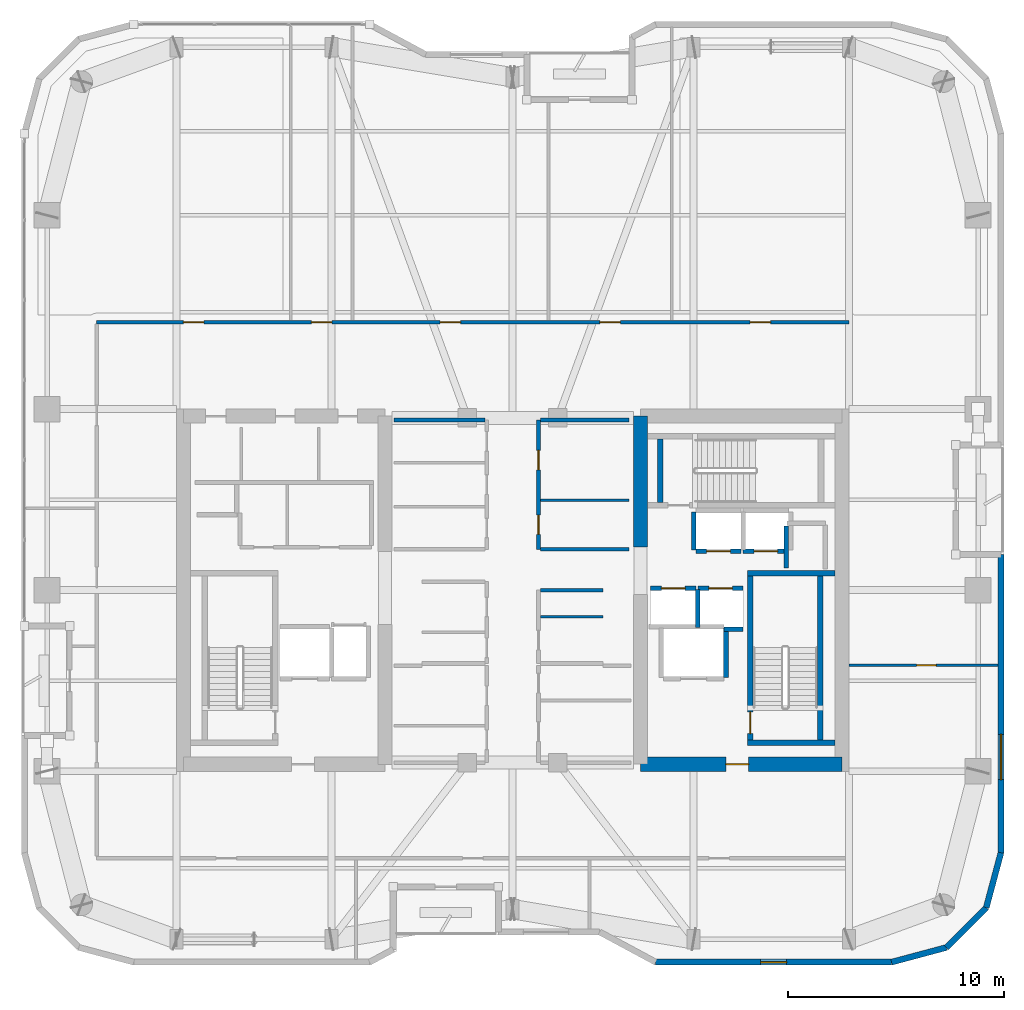
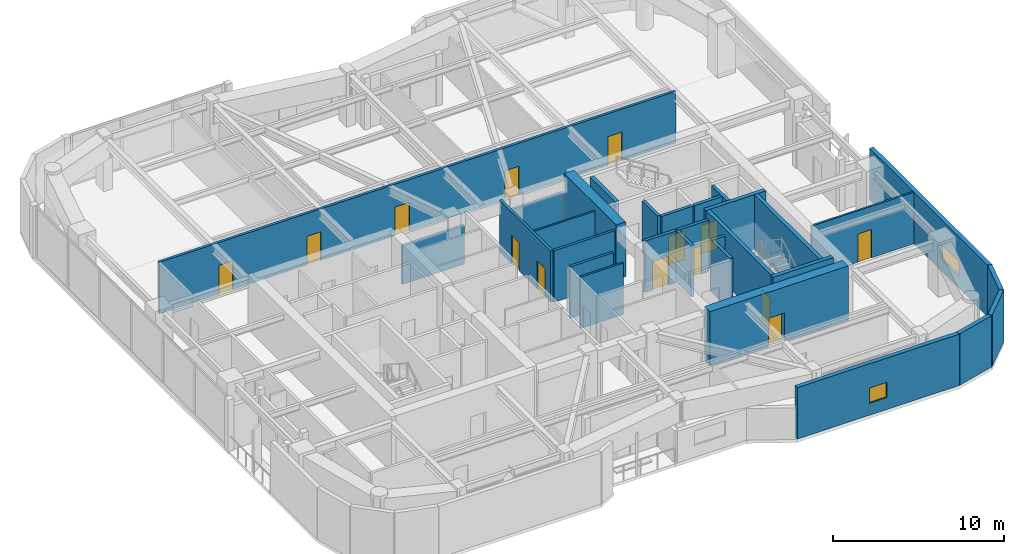
# One storey, part 17 of 21: 30 walls, 14 doors, 2 windows, 16 openings.
"""IFC4 building model written with IfcOpenShell, lengths in metres."""

from ifc_helpers import new_model, si_unit, direction, frame, frame_2d, origin, place, context, subcontext, project, spatial, rectangle, extrude, material, layer, layer_set, type_object, element, fill, save


model = new_model("IFC4")

# Units and contexts
model_context = context("Model", 3, precision=1e-05, world=origin(), true_north=direction((0.0, 1.0)))
body_context = subcontext(model_context, "Body", "Model", "MODEL_VIEW")
ifc_project = project(units=[si_unit("LENGTHUNIT", "METRE"), si_unit("AREAUNIT", "SQUARE_METRE"), si_unit("VOLUMEUNIT", "CUBIC_METRE"), si_unit("PLANEANGLEUNIT", "RADIAN"), si_unit("MASSUNIT", "GRAM", prefix="KILO")], contexts=[model_context])

# Site, building, storey
site_placement = place(None, origin())
site = spatial("IfcSite", under=ifc_project, at=site_placement, CompositionType="ELEMENT")
building_placement = place(site_placement, origin())
building = spatial("IfcBuilding", under=site, at=building_placement, Name="Kiyonajd Concourse Tower", CompositionType="ELEMENT")
storey_placement = place(building_placement, frame((0.0, 0.0, 227.10009765625)))
storey = spatial("IfcBuildingStorey", under=building, at=storey_placement, Name="L57", CompositionType="ELEMENT", Elevation=227.10009765625)

# Wall
ifc_material_1 = material(Name="Concrete C60/75", Category="concrete")
ifc_layer_1 = layer(ifc_material_1, 0.64990234375)
ifc_layer_set_1 = layer_set([ifc_layer_1], Name="Concrete C60/75")
wall_type_1 = type_object("IfcWallType", Name="WL-CORE-650", PredefinedType="SHEAR", material=ifc_layer_set_1)
wall_1_placement = place(storey_placement, frame((53.925048828125, 38.0, 0.0), z_axis=(0.0, 0.0, 1.0), x_axis=(0.0, 1.0, 0.0)))
element("IfcWall", 1, at=wall_1_placement, inside=storey, type_object=wall_type_1, Name="L57 East Core Inner North Shear Wall", PredefinedType="SHEAR", context=body_context, shape_type="SweptSolid", body=[
    extrude(rectangle(XDim=6.074951171875, YDim=0.64990234375, at=frame_2d((3.03759765625, 0.0))), origin(), (0.0, 0.0, 1.0), 3.89990234375),
])

# Wall, opening, door
wall_2_placement = place(storey_placement, frame((53.925048828125, 27.925048828125, 0.0), z_axis=(0.0, 0.0, 1.0), x_axis=(1.0, 0.0, 0.0)))
wall_2 = element("IfcWall", 2, at=wall_2_placement, inside=storey, type_object=wall_type_1, Name="L57 East Core South Shear Wall", PredefinedType="SHEAR", context=body_context, shape_type="SweptSolid", body=[
    extrude(rectangle(XDim=9.349853515625, YDim=0.64990234375, at=frame_2d((4.6748046875, 0.0))), origin(), (0.0, 0.0, 1.0), 3.89990234375),
])
opening_1_placement = place(wall_2_placement, frame((3.97509765625, 0.0, 0.0)))
opening_1 = element("IfcOpeningElement", 3, at=opening_1_placement, cuts=wall_2, Name="Opening DF5", PredefinedType="OPENING", context=body_context, shape_type="SweptSolid", body=[
    extrude(rectangle(XDim=1.050048828125, YDim=2.0400390625, at=frame_2d((0.52490234375, 1.02001953125))), frame((0.0, 0.3349609375, 0.0), z_axis=(0.0, -1.0, 0.0), x_axis=(1.0, 0.0, 0.0)), (0.0, 0.0, 1.0), 0.669921875),
])
ifc_material_2 = material(Name="Brushed Stainless Steel Cab Assembly", Category="steel")
door_type_1 = type_object("IfcDoorType", Name="DR-FD45-1050", OperationType="NOTDEFINED", PredefinedType="DOOR", material=ifc_material_2)
door_1_placement = place(opening_1_placement, origin())
door_1 = element("IfcDoor", 4, at=door_1_placement, inside=storey, type_object=door_type_1, Name="L57 Firefighting Lift Lobby E Smoke Door", OperationType="SINGLE_SWING_RIGHT", OverallHeight=2.0400390625, OverallWidth=1.050048828125, PredefinedType="DOOR", context=body_context, shape_type="SweptSolid", body=[
    extrude(rectangle(XDim=1.050048828125, YDim=2.0400390625, at=frame_2d((0.52490234375, 1.02001953125))), frame((0.0, 0.02490234375, 0.0), z_axis=(0.0, -1.0, 0.0), x_axis=(1.0, 0.0, 0.0)), (0.0, 0.0, 1.0), 0.050048828125),
])
fill(opening_1, door_1)

# Wall, opening, window
ifc_material_3 = material(Name="Precast concrete C50/60", Category="concrete")
ifc_layer_2 = layer(ifc_material_3, 0.280029296875)
ifc_layer_set_2 = layer_set([ifc_layer_2], Name="Precast concrete C50/60")
wall_type_2 = type_object("IfcWallType", Name="WL-EXT-280", PredefinedType="SOLIDWALL", material=ifc_layer_set_2)
wall_3_placement = place(storey_placement, frame((70.659912109375, 37.659912109375, 0.0), z_axis=(0.0, 0.0, 1.0), x_axis=(0.0, -1.0, 0.0)))
wall_3 = element("IfcWall", 5, at=wall_3_placement, inside=storey, type_object=wall_type_2, Name="L57 Exterior Concrete Frame Wall 24", PredefinedType="SOLIDWALL", context=body_context, shape_type="SweptSolid", body=[
    extrude(rectangle(XDim=13.841552734375, YDim=0.280029296875, at=frame_2d((6.9208984375, 0.0))), origin(), (0.0, 0.0, 1.0), 3.679931640625),
])
opening_2_placement = place(wall_3_placement, frame((8.345947265625, 0.0, 0.85009765625)))
opening_2 = element("IfcOpeningElement", 6, at=opening_2_placement, cuts=wall_3, Name="Opening WN5", PredefinedType="OPENING", context=body_context, shape_type="SweptSolid", body=[
    extrude(rectangle(XDim=2.10009765625, YDim=1.050048828125, at=frame_2d((1.050048828125, 0.52490234375))), frame((0.0, 0.14990234375, 0.0), z_axis=(0.0, -1.0, 0.0), x_axis=(1.0, 0.0, 0.0)), (0.0, 0.0, 1.0), 0.300048828125),
])
ifc_material_4 = material(Name="Double Low-E Insulated Glass", Category="glass")
window_type_1 = type_object("IfcWindowType", Name="WN-VIS-2100x1050", PartitioningType="SINGLE_PANEL", PredefinedType="WINDOW", material=ifc_material_4)
window_1_placement = place(opening_2_placement, origin())
window_1 = element("IfcWindow", 7, at=window_1_placement, inside=storey, type_object=window_type_1, Name="L57 Modular Facade Vision Window 24", OverallHeight=1.050048828125, OverallWidth=2.10009765625, PartitioningType="SINGLE_PANEL", PredefinedType="WINDOW", context=body_context, shape_type="SweptSolid", body=[
    extrude(rectangle(XDim=2.10009765625, YDim=1.050048828125, at=frame_2d((1.050048828125, 0.52490234375))), frame((0.0, 0.030029296875, 0.0), z_axis=(0.0, -1.0, 0.0), x_axis=(1.0, 0.0, 0.0)), (0.0, 0.0, 1.0), 0.06005859375),
])
fill(opening_2, window_1)

# Walls
wall_4_placement = place(storey_placement, frame((70.659912109375, 23.818359375, 0.0), z_axis=(0.0, 0.0, 1.0), x_axis=(-0.2588904131, -0.965906700466, 0.0)))
element("IfcWall", 8, at=wall_4_placement, inside=storey, type_object=wall_type_2, Name="L57 Exterior Concrete Frame Wall 25", PredefinedType="SOLIDWALL", context=body_context, shape_type="SweptSolid", body=[
    extrude(rectangle(XDim=2.6357421875, YDim=0.280029296875, at=frame_2d((1.31787109375, 0.0))), origin(), (0.0, 0.0, 1.0), 3.679931640625),
])
wall_5_placement = place(storey_placement, frame((69.9775390625, 21.2724609375, 0.0), z_axis=(0.0, 0.0, 1.0), x_axis=(-0.707153437963, -0.707060121331, 0.0)))
element("IfcWall", 9, at=wall_5_placement, inside=storey, type_object=wall_type_2, Name="L57 Exterior Concrete Frame Wall 26", PredefinedType="SOLIDWALL", context=body_context, shape_type="SweptSolid", body=[
    extrude(rectangle(XDim=2.6162109375, YDim=0.280029296875, at=frame_2d((1.30810546875, 0.0))), origin(), (0.0, 0.0, 1.0), 3.679931640625),
])
wall_6_placement = place(storey_placement, frame((68.12744140625, 19.422607421875, 0.0), z_axis=(0.0, 0.0, 1.0), x_axis=(-0.965883534663, -0.258976828051, 0.0)))
element("IfcWall", 10, at=wall_6_placement, inside=storey, type_object=wall_type_2, Name="L57 Exterior Concrete Frame Wall 27", PredefinedType="SOLIDWALL", context=body_context, shape_type="SweptSolid", body=[
    extrude(rectangle(XDim=2.6357421875, YDim=0.280029296875, at=frame_2d((1.31787109375, 0.0))), origin(), (0.0, 0.0, 1.0), 3.679931640625),
])

# Wall, opening, window
wall_7_placement = place(storey_placement, frame((65.58154296875, 18.739990234375, 0.0), z_axis=(0.0, 0.0, 1.0), x_axis=(-1.0, 0.0, 0.0)))
wall_7 = element("IfcWall", 11, at=wall_7_placement, inside=storey, type_object=wall_type_2, Name="L57 Exterior Concrete Frame Wall 28", PredefinedType="SOLIDWALL", context=body_context, shape_type="SweptSolid", body=[
    extrude(rectangle(XDim=10.9462890625, YDim=0.280029296875, at=frame_2d((5.47314453125, 0.0))), origin(), (0.0, 0.0, 1.0), 3.679931640625),
])
opening_3_placement = place(wall_7_placement, frame((4.873046875, 0.0, 0.85009765625)))
opening_3 = element("IfcOpeningElement", 12, at=opening_3_placement, cuts=wall_7, Name="Opening WN3", PredefinedType="OPENING", context=body_context, shape_type="SweptSolid", body=[
    extrude(rectangle(XDim=1.199951171875, YDim=1.10009765625, at=frame_2d((0.60009765625, 0.550048828125))), frame((0.0, 0.14990234375, 0.0), z_axis=(0.0, -1.0, 0.0), x_axis=(1.0, 0.0, 0.0)), (0.0, 0.0, 1.0), 0.300048828125),
])
window_type_2 = type_object("IfcWindowType", Name="WN-VIS-1200x1100", PartitioningType="SINGLE_PANEL", PredefinedType="WINDOW", material=ifc_material_4)
window_2_placement = place(opening_3_placement, origin())
window_2 = element("IfcWindow", 13, at=window_2_placement, inside=storey, type_object=window_type_2, Name="L57 Modular Facade Vision Window 28", OverallHeight=1.10009765625, OverallWidth=1.199951171875, PartitioningType="SINGLE_PANEL", PredefinedType="WINDOW", context=body_context, shape_type="SweptSolid", body=[
    extrude(rectangle(XDim=1.199951171875, YDim=1.10009765625, at=frame_2d((0.60009765625, 0.550048828125))), frame((0.0, 0.030029296875, 0.0), z_axis=(0.0, -1.0, 0.0), x_axis=(1.0, 0.0, 0.0)), (0.0, 0.0, 1.0), 0.06005859375),
])
fill(opening_3, window_2)

# Walls
ifc_material_5 = material(Name="Gypsum Board on Cold-Formed Steel Stud", Category="steel")
ifc_layer_3 = layer(ifc_material_5, 0.125)
ifc_layer_set_3 = layer_set([ifc_layer_3], Name="Gypsum Board on Cold-Formed Steel Stud")
wall_type_3 = type_object("IfcWallType", Name="WL-PART-125", PredefinedType="PARTITIONING", material=ifc_layer_set_3)
wall_8_placement = place(storey_placement, frame((49.287109375, 34.77587890625, 0.0), z_axis=(0.0, 0.0, 1.0), x_axis=(1.0, 0.0, 0.0)))
element("IfcWall", 14, at=wall_8_placement, inside=storey, type_object=wall_type_3, Name="L57 Interior Partition Wall", PredefinedType="PARTITIONING", context=body_context, shape_type="SweptSolid", body=[
    extrude(rectangle(XDim=2.912841796875, YDim=0.125, at=frame_2d((1.45654296875, 0.0))), origin(), (0.0, 0.0, 1.0), 3.679931640625),
])
wall_9_placement = place(storey_placement, frame((49.287109375, 40.179931640625, 0.0), z_axis=(0.0, 0.0, 1.0), x_axis=(1.0, 0.0, 0.0)))
element("IfcWall", 15, at=wall_9_placement, inside=storey, type_object=wall_type_3, Name="L57 Interior Partition Wall", PredefinedType="PARTITIONING", context=body_context, shape_type="SweptSolid", body=[
    extrude(rectangle(XDim=4.11279296875, YDim=0.125, at=frame_2d((2.056396484375, 0.0))), origin(), (0.0, 0.0, 1.0), 3.679931640625),
])

# Wall, opening, door
wall_10_placement = place(storey_placement, frame((63.60009765625, 32.52001953125, 0.0), z_axis=(0.0, 0.0, 1.0), x_axis=(1.0, 0.0, 0.0)))
wall_10 = element("IfcWall", 16, at=wall_10_placement, inside=storey, type_object=wall_type_3, Name="L57 Interior Partition Wall", PredefinedType="PARTITIONING", context=body_context, shape_type="SweptSolid", body=[
    extrude(rectangle(XDim=6.9248046875, YDim=0.125, at=frame_2d((3.46240234375, 0.0))), origin(), (0.0, 0.0, 1.0), 3.679931640625),
])
opening_4_placement = place(wall_10_placement, frame((3.14990234375, 0.0, 0.0)))
opening_4 = element("IfcOpeningElement", 17, at=opening_4_placement, cuts=wall_10, Name="Opening DI2", PredefinedType="OPENING", context=body_context, shape_type="SweptSolid", body=[
    extrude(rectangle(XDim=0.89990234375, YDim=2.02001953125, at=frame_2d((0.449951171875, 1.010009765625))), frame((0.0, 0.072509765625, 0.0), z_axis=(0.0, -1.0, 0.0), x_axis=(1.0, 0.0, 0.0)), (0.0, 0.0, 1.0), 0.14501953125),
])
ifc_material_6 = material(Name="Natural Oak Acoustic Timber Veneer", Category="wood")
door_type_2 = type_object("IfcDoorType", Name="DR-INT-900", OperationType="NOTDEFINED", PredefinedType="DOOR", material=ifc_material_6)
door_2_placement = place(opening_4_placement, origin())
door_2 = element("IfcDoor", 18, at=door_2_placement, inside=storey, type_object=door_type_2, Name="L57 Interior Door", OperationType="SINGLE_SWING_LEFT", OverallHeight=2.02001953125, OverallWidth=0.89990234375, PredefinedType="DOOR", context=body_context, shape_type="SweptSolid", body=[
    extrude(rectangle(XDim=0.89990234375, YDim=2.02001953125, at=frame_2d((0.449951171875, 1.010009765625))), frame((0.0, 0.02490234375, 0.0), z_axis=(0.0, -1.0, 0.0), x_axis=(1.0, 0.0, 0.0)), (0.0, 0.0, 1.0), 0.050048828125),
])
fill(opening_4, door_2)

# Walls
ifc_layer_4 = layer(ifc_material_5, 0.2099609375)
ifc_layer_set_4 = layer_set([ifc_layer_4], Name="Gypsum Board on Cold-Formed Steel Stud")
wall_type_4 = type_object("IfcWallType", Name="WL-SHAFT-210", PredefinedType="PARTITIONING", material=ifc_layer_set_4)
wall_11_placement = place(storey_placement, frame((60.699951171875, 37.02001953125, 0.0), z_axis=(0.0, 0.0, 1.0), x_axis=(0.0, 1.0, 0.0)))
element("IfcWall", 19, at=wall_11_placement, inside=storey, type_object=wall_type_4, Name="L57 Shaft Enclosure Wall", PredefinedType="PARTITIONING", context=body_context, shape_type="SweptSolid", body=[
    extrude(rectangle(XDim=1.9599609375, YDim=0.2099609375, at=frame_2d((0.97998046875, 0.0))), origin(), (0.0, 0.0, 1.0), 3.679931640625),
])
wall_12_placement = place(storey_placement, frame((57.89990234375, 31.9599609375, 0.0), z_axis=(0.0, 0.0, 1.0), x_axis=(0.0, 1.0, 0.0)))
element("IfcWall", 20, at=wall_12_placement, inside=storey, type_object=wall_type_4, Name="L57 Shaft Enclosure Wall", PredefinedType="PARTITIONING", context=body_context, shape_type="SweptSolid", body=[
    extrude(rectangle(XDim=2.280029296875, YDim=0.2099609375, at=frame_2d((1.14013671875, 0.0))), origin(), (0.0, 0.0, 1.0), 3.679931640625),
])

# Wall, opening, door
wall_13_placement = place(storey_placement, frame((54.39990234375, 36.10009765625, 0.0), z_axis=(0.0, 0.0, 1.0), x_axis=(1.0, 0.0, 0.0)))
wall_13 = element("IfcWall", 21, at=wall_13_placement, inside=storey, type_object=wall_type_4, Name="L57 Shaft Enclosure Wall", PredefinedType="PARTITIONING", context=body_context, shape_type="SweptSolid", body=[
    extrude(rectangle(XDim=2.10009765625, YDim=0.2099609375, at=frame_2d((1.050048828125, 0.0))), origin(), (0.0, 0.0, 1.0), 3.679931640625),
])
opening_5_placement = place(wall_13_placement, frame((0.5, 0.0, 0.0)))
opening_5 = element("IfcOpeningElement", 22, at=opening_5_placement, cuts=wall_13, Name="Opening LD1", PredefinedType="OPENING", context=body_context, shape_type="SweptSolid", body=[
    extrude(rectangle(XDim=1.10009765625, YDim=2.0400390625, at=frame_2d((0.550048828125, 1.02001953125))), frame((0.0, 0.114990234375, 0.0), z_axis=(0.0, -1.0, 0.0), x_axis=(1.0, 0.0, 0.0)), (0.0, 0.0, 1.0), 0.22998046875),
])
door_type_3 = type_object("IfcDoorType", Name="DR-LD-1100", OperationType="DOUBLE_DOOR_SLIDING", PredefinedType="DOOR", material=ifc_material_2)
door_3_placement = place(opening_5_placement, origin())
door_3 = element("IfcDoor", 23, at=door_3_placement, inside=storey, type_object=door_type_3, Name="L57 Lift PL-H1 Sliding Landing Door", OperationType="DOUBLE_DOOR_SLIDING", OverallHeight=2.0400390625, OverallWidth=1.10009765625, PredefinedType="DOOR", context=body_context, shape_type="SweptSolid", body=[
    extrude(rectangle(XDim=1.10009765625, YDim=2.0400390625, at=frame_2d((0.550048828125, 1.02001953125))), frame((0.0, 0.02490234375, 0.0), z_axis=(0.0, -1.0, 0.0), x_axis=(1.0, 0.0, 0.0)), (0.0, 0.0, 1.0), 0.050048828125),
])
fill(opening_5, door_3)

# Wall
wall_14_placement = place(storey_placement, frame((56.60009765625, 34.260009765625, 0.0), z_axis=(0.0, 0.0, 1.0), x_axis=(0.0, 1.0, 0.0)))
element("IfcWall", 24, at=wall_14_placement, inside=storey, type_object=wall_type_4, Name="L57 Shaft Enclosure Wall", PredefinedType="PARTITIONING", context=body_context, shape_type="SweptSolid", body=[
    extrude(rectangle(XDim=1.780029296875, YDim=0.2099609375, at=frame_2d((0.89013671875, 0.0))), origin(), (0.0, 0.0, 1.0), 3.679931640625),
])

# Wall, opening, door
wall_15_placement = place(storey_placement, frame((56.60009765625, 36.10009765625, 0.0), z_axis=(0.0, 0.0, 1.0), x_axis=(1.0, 0.0, 0.0)))
wall_15 = element("IfcWall", 25, at=wall_15_placement, inside=storey, type_object=wall_type_4, Name="L57 Shaft Enclosure Wall", PredefinedType="PARTITIONING", context=body_context, shape_type="SweptSolid", body=[
    extrude(rectangle(XDim=2.099853515625, YDim=0.2099609375, at=frame_2d((1.0498046875, 0.0))), origin(), (0.0, 0.0, 1.0), 3.679931640625),
])
opening_6_placement = place(wall_15_placement, frame((0.5, 0.0, 0.0)))
opening_6 = element("IfcOpeningElement", 26, at=opening_6_placement, cuts=wall_15, Name="Opening LD1", PredefinedType="OPENING", context=body_context, shape_type="SweptSolid", body=[
    extrude(rectangle(XDim=1.10009765625, YDim=2.0400390625, at=frame_2d((0.550048828125, 1.02001953125))), frame((0.0, 0.114990234375, 0.0), z_axis=(0.0, -1.0, 0.0), x_axis=(1.0, 0.0, 0.0)), (0.0, 0.0, 1.0), 0.22998046875),
])
door_4_placement = place(opening_6_placement, origin())
door_4 = element("IfcDoor", 27, at=door_4_placement, inside=storey, type_object=door_type_3, Name="L57 Lift PL-H2 Sliding Landing Door", OperationType="DOUBLE_DOOR_SLIDING", OverallHeight=2.0400390625, OverallWidth=1.10009765625, PredefinedType="DOOR", context=body_context, shape_type="SweptSolid", body=[
    extrude(rectangle(XDim=1.10009765625, YDim=2.0400390625, at=frame_2d((0.550048828125, 1.02001953125))), frame((0.0, 0.02490234375, 0.0), z_axis=(0.0, -1.0, 0.0), x_axis=(1.0, 0.0, 0.0)), (0.0, 0.0, 1.0), 0.050048828125),
])
fill(opening_6, door_4)

# Wall
wall_16_placement = place(storey_placement, frame((57.800048828125, 34.199951171875, 0.0), z_axis=(0.0, 0.0, 1.0), x_axis=(1.0, 0.0, 0.0)))
element("IfcWall", 28, at=wall_16_placement, inside=storey, type_object=wall_type_4, Name="L57 Shaft Enclosure Wall", PredefinedType="PARTITIONING", context=body_context, shape_type="SweptSolid", body=[
    extrude(rectangle(XDim=0.89990234375, YDim=0.2099609375, at=frame_2d((0.449951171875, 0.0))), origin(), (0.0, 0.0, 1.0), 3.679931640625),
])

# Wall, opening, door
wall_17_placement = place(storey_placement, frame((56.5, 37.800048828125, 0.0), z_axis=(0.0, 0.0, 1.0), x_axis=(1.0, 0.0, 0.0)))
wall_17 = element("IfcWall", 29, at=wall_17_placement, inside=storey, type_object=wall_type_4, Name="L57 Shaft Enclosure Wall", PredefinedType="PARTITIONING", context=body_context, shape_type="SweptSolid", body=[
    extrude(rectangle(XDim=2.10009765625, YDim=0.2099609375, at=frame_2d((1.050048828125, 0.0))), origin(), (0.0, 0.0, 1.0), 3.679931640625),
])
opening_7_placement = place(wall_17_placement, frame((0.5, 0.0, 0.0)))
opening_7 = element("IfcOpeningElement", 30, at=opening_7_placement, cuts=wall_17, Name="Opening LD1", PredefinedType="OPENING", context=body_context, shape_type="SweptSolid", body=[
    extrude(rectangle(XDim=1.10009765625, YDim=2.0400390625, at=frame_2d((0.550048828125, 1.02001953125))), frame((0.0, 0.114990234375, 0.0), z_axis=(0.0, -1.0, 0.0), x_axis=(1.0, 0.0, 0.0)), (0.0, 0.0, 1.0), 0.22998046875),
])
door_5_placement = place(opening_7_placement, origin())
door_5 = element("IfcDoor", 31, at=door_5_placement, inside=storey, type_object=door_type_3, Name="L57 Lift PL-H3 Sliding Landing Door", OperationType="DOUBLE_DOOR_SLIDING", OverallHeight=2.0400390625, OverallWidth=1.10009765625, PredefinedType="DOOR", context=body_context, shape_type="SweptSolid", body=[
    extrude(rectangle(XDim=1.10009765625, YDim=2.0400390625, at=frame_2d((0.550048828125, 1.02001953125))), frame((0.0, 0.02490234375, 0.0), z_axis=(0.0, -1.0, 0.0), x_axis=(1.0, 0.0, 0.0)), (0.0, 0.0, 1.0), 0.050048828125),
])
fill(opening_7, door_5)

# Wall
wall_18_placement = place(storey_placement, frame((56.39990234375, 37.860107421875, 0.0), z_axis=(0.0, 0.0, 1.0), x_axis=(0.0, 1.0, 0.0)))
element("IfcWall", 32, at=wall_18_placement, inside=storey, type_object=wall_type_4, Name="L57 Shaft Enclosure Wall", PredefinedType="PARTITIONING", context=body_context, shape_type="SweptSolid", body=[
    extrude(rectangle(XDim=1.77978515625, YDim=0.2099609375, at=frame_2d((0.889892578125, 0.0))), origin(), (0.0, 0.0, 1.0), 3.679931640625),
])

# Wall, opening, door
wall_19_placement = place(storey_placement, frame((58.699951171875, 37.800048828125, 0.0), z_axis=(0.0, 0.0, 1.0), x_axis=(1.0, 0.0, 0.0)))
wall_19 = element("IfcWall", 33, at=wall_19_placement, inside=storey, type_object=wall_type_4, Name="L57 Shaft Enclosure Wall", PredefinedType="PARTITIONING", context=body_context, shape_type="SweptSolid", body=[
    extrude(rectangle(XDim=2.10009765625, YDim=0.2099609375, at=frame_2d((1.050048828125, 0.0))), origin(), (0.0, 0.0, 1.0), 3.679931640625),
])
opening_8_placement = place(wall_19_placement, frame((0.5, 0.0, 0.0)))
opening_8 = element("IfcOpeningElement", 34, at=opening_8_placement, cuts=wall_19, Name="Opening LD1", PredefinedType="OPENING", context=body_context, shape_type="SweptSolid", body=[
    extrude(rectangle(XDim=1.10009765625, YDim=2.0400390625, at=frame_2d((0.550048828125, 1.02001953125))), frame((0.0, 0.114990234375, 0.0), z_axis=(0.0, -1.0, 0.0), x_axis=(1.0, 0.0, 0.0)), (0.0, 0.0, 1.0), 0.22998046875),
])
door_6_placement = place(opening_8_placement, origin())
door_6 = element("IfcDoor", 35, at=door_6_placement, inside=storey, type_object=door_type_3, Name="L57 Lift PL-H4 Sliding Landing Door", OperationType="DOUBLE_DOOR_SLIDING", OverallHeight=2.0400390625, OverallWidth=1.10009765625, PredefinedType="DOOR", context=body_context, shape_type="SweptSolid", body=[
    extrude(rectangle(XDim=1.10009765625, YDim=2.0400390625, at=frame_2d((0.550048828125, 1.02001953125))), frame((0.0, 0.02490234375, 0.0), z_axis=(0.0, -1.0, 0.0), x_axis=(1.0, 0.0, 0.0)), (0.0, 0.0, 1.0), 0.050048828125),
])
fill(opening_8, door_6)

# Walls
ifc_layer_5 = layer(ifc_material_5, 0.169921875)
ifc_layer_set_5 = layer_set([ifc_layer_5], Name="Gypsum Board on Cold-Formed Steel Stud")
wall_type_5 = type_object("IfcWallType", Name="WL-SMK-170", PredefinedType="PARTITIONING", material=ifc_layer_set_5)
wall_20_placement = place(storey_placement, frame((49.287109375, 36.0, 0.0), z_axis=(0.0, 0.0, 1.0), x_axis=(1.0, 0.0, 0.0)))
element("IfcWall", 36, at=wall_20_placement, inside=storey, type_object=wall_type_5, Name="L57 Interior Partition Wall", PredefinedType="PARTITIONING", context=body_context, shape_type="SweptSolid", body=[
    extrude(rectangle(XDim=2.912841796875, YDim=0.169921875, at=frame_2d((1.45654296875, 0.0))), origin(), (0.0, 0.0, 1.0), 3.679931640625),
])
wall_21_placement = place(storey_placement, frame((42.5, 43.89990234375, 0.0), z_axis=(0.0, 0.0, 1.0), x_axis=(1.0, 0.0, 0.0)))
element("IfcWall", 37, at=wall_21_placement, inside=storey, type_object=wall_type_5, Name="L57 Interior Partition Wall", PredefinedType="PARTITIONING", context=body_context, shape_type="SweptSolid", body=[
    extrude(rectangle(XDim=4.212890625, YDim=0.169921875, at=frame_2d((2.1064453125, 0.0))), origin(), (0.0, 0.0, 1.0), 2.764892578125),
])

# Wall, openings, doors
wall_22_placement = place(storey_placement, frame((49.199951171875, 37.89990234375, 0.0), z_axis=(0.0, 0.0, 1.0), x_axis=(0.0, 1.0, 0.0)))
wall_22 = element("IfcWall", 38, at=wall_22_placement, inside=storey, type_object=wall_type_5, Name="L57 Interior Partition Wall", PredefinedType="PARTITIONING", context=body_context, shape_type="SweptSolid", body=[
    extrude(rectangle(XDim=6.0, YDim=0.169921875, at=frame_2d((3.0, 0.0))), origin(), (0.0, 0.0, 1.0), 3.679931640625),
])
opening_9_placement = place(wall_22_placement, frame((0.68994140625, 0.0, 0.0)))
opening_9 = element("IfcOpeningElement", 39, at=opening_9_placement, cuts=wall_22, Name="Opening DI2", PredefinedType="OPENING", context=body_context, shape_type="SweptSolid", body=[
    extrude(rectangle(XDim=0.89990234375, YDim=2.02001953125, at=frame_2d((0.449951171875, 1.010009765625))), frame((0.0, 0.094970703125, 0.0), z_axis=(0.0, -1.0, 0.0), x_axis=(1.0, 0.0, 0.0)), (0.0, 0.0, 1.0), 0.18994140625),
])
opening_10_placement = place(wall_22_placement, frame((3.68994140625, 0.0, 0.0)))
opening_10 = element("IfcOpeningElement", 40, at=opening_10_placement, cuts=wall_22, Name="Opening DI2", PredefinedType="OPENING", context=body_context, shape_type="SweptSolid", body=[
    extrude(rectangle(XDim=0.89990234375, YDim=2.02001953125, at=frame_2d((0.449951171875, 1.010009765625))), frame((0.0, 0.094970703125, 0.0), z_axis=(0.0, -1.0, 0.0), x_axis=(1.0, 0.0, 0.0)), (0.0, 0.0, 1.0), 0.18994140625),
])
door_7_placement = place(opening_9_placement, origin())
door_7 = element("IfcDoor", 41, at=door_7_placement, inside=storey, type_object=door_type_2, Name="L57 Interior Door", OperationType="SINGLE_SWING_RIGHT", OverallHeight=2.02001953125, OverallWidth=0.89990234375, PredefinedType="DOOR", context=body_context, shape_type="SweptSolid", body=[
    extrude(rectangle(XDim=0.89990234375, YDim=2.02001953125, at=frame_2d((0.449951171875, 1.010009765625))), frame((0.0, 0.02490234375, 0.0), z_axis=(0.0, -1.0, 0.0), x_axis=(1.0, 0.0, 0.0)), (0.0, 0.0, 1.0), 0.050048828125),
])
fill(opening_9, door_7)
door_8_placement = place(opening_10_placement, origin())
door_8 = element("IfcDoor", 42, at=door_8_placement, inside=storey, type_object=door_type_2, Name="L57 Interior Door", OperationType="SINGLE_SWING_LEFT", OverallHeight=2.02001953125, OverallWidth=0.89990234375, PredefinedType="DOOR", context=body_context, shape_type="SweptSolid", body=[
    extrude(rectangle(XDim=0.89990234375, YDim=2.02001953125, at=frame_2d((0.449951171875, 1.010009765625))), frame((0.0, 0.02490234375, 0.0), z_axis=(0.0, -1.0, 0.0), x_axis=(1.0, 0.0, 0.0)), (0.0, 0.0, 1.0), 0.050048828125),
])
fill(opening_10, door_8)

# Walls
wall_23_placement = place(storey_placement, frame((49.287109375, 37.89990234375, 0.0), z_axis=(0.0, 0.0, 1.0), x_axis=(1.0, 0.0, 0.0)))
element("IfcWall", 43, at=wall_23_placement, inside=storey, type_object=wall_type_5, Name="L57 Interior Partition Wall", PredefinedType="PARTITIONING", context=body_context, shape_type="SweptSolid", body=[
    extrude(rectangle(XDim=4.11279296875, YDim=0.169921875, at=frame_2d((2.056396484375, 0.0))), origin(), (0.0, 0.0, 1.0), 3.679931640625),
])
wall_24_placement = place(storey_placement, frame((49.287109375, 43.89990234375, 0.0), z_axis=(0.0, 0.0, 1.0), x_axis=(1.0, 0.0, 0.0)))
element("IfcWall", 44, at=wall_24_placement, inside=storey, type_object=wall_type_5, Name="L57 Interior Partition Wall", PredefinedType="PARTITIONING", context=body_context, shape_type="SweptSolid", body=[
    extrude(rectangle(XDim=4.11279296875, YDim=0.169921875, at=frame_2d((2.056396484375, 0.0))), origin(), (0.0, 0.0, 1.0), 2.764892578125),
])

# Wall, openings, doors
wall_25_placement = place(storey_placement, frame((28.699951171875, 48.429931640625, 0.0), z_axis=(0.0, 0.0, 1.0), x_axis=(1.0, 0.0, 0.0)))
wall_25 = element("IfcWall", 45, at=wall_25_placement, inside=storey, type_object=wall_type_5, Name="L57 Interior Partition Wall", PredefinedType="PARTITIONING", context=body_context, shape_type="SweptSolid", body=[
    extrude(rectangle(XDim=34.900146484375, YDim=0.169921875, at=frame_2d((17.4501953125, 0.0))), origin(), (0.0, 0.0, 1.0), 3.679931640625),
])
opening_11_placement = place(wall_25_placement, frame((4.02490234375, 0.0, 0.0)))
opening_11 = element("IfcOpeningElement", 46, at=opening_11_placement, cuts=wall_25, Name="Opening DI1", PredefinedType="OPENING", context=body_context, shape_type="SweptSolid", body=[
    extrude(rectangle(XDim=0.949951171875, YDim=2.0400390625, at=frame_2d((0.47509765625, 1.02001953125))), frame((0.0, 0.094970703125, 0.0), z_axis=(0.0, -1.0, 0.0), x_axis=(1.0, 0.0, 0.0)), (0.0, 0.0, 1.0), 0.18994140625),
])
opening_12_placement = place(wall_25_placement, frame((9.9599609375, 0.0, 0.0)))
opening_12 = element("IfcOpeningElement", 47, at=opening_12_placement, cuts=wall_25, Name="Opening DI1", PredefinedType="OPENING", context=body_context, shape_type="SweptSolid", body=[
    extrude(rectangle(XDim=0.949951171875, YDim=2.0400390625, at=frame_2d((0.47509765625, 1.02001953125))), frame((0.0, 0.094970703125, 0.0), z_axis=(0.0, -1.0, 0.0), x_axis=(1.0, 0.0, 0.0)), (0.0, 0.0, 1.0), 0.18994140625),
])
opening_13_placement = place(wall_25_placement, frame((15.93994140625, 0.0, 0.0)))
opening_13 = element("IfcOpeningElement", 48, at=opening_13_placement, cuts=wall_25, Name="Opening DI1", PredefinedType="OPENING", context=body_context, shape_type="SweptSolid", body=[
    extrude(rectangle(XDim=0.949951171875, YDim=2.0400390625, at=frame_2d((0.47509765625, 1.02001953125))), frame((0.0, 0.094970703125, 0.0), z_axis=(0.0, -1.0, 0.0), x_axis=(1.0, 0.0, 0.0)), (0.0, 0.0, 1.0), 0.18994140625),
])
opening_14_placement = place(wall_25_placement, frame((23.35009765625, 0.0, 0.0)))
opening_14 = element("IfcOpeningElement", 49, at=opening_14_placement, cuts=wall_25, Name="Opening DI1", PredefinedType="OPENING", context=body_context, shape_type="SweptSolid", body=[
    extrude(rectangle(XDim=0.949951171875, YDim=2.0400390625, at=frame_2d((0.47509765625, 1.02001953125))), frame((0.0, 0.094970703125, 0.0), z_axis=(0.0, -1.0, 0.0), x_axis=(1.0, 0.0, 0.0)), (0.0, 0.0, 1.0), 0.18994140625),
])
opening_15_placement = place(wall_25_placement, frame((30.320068359375, 0.0, 0.0)))
opening_15 = element("IfcOpeningElement", 50, at=opening_15_placement, cuts=wall_25, Name="Opening DI1", PredefinedType="OPENING", context=body_context, shape_type="SweptSolid", body=[
    extrude(rectangle(XDim=0.949951171875, YDim=2.0400390625, at=frame_2d((0.47509765625, 1.02001953125))), frame((0.0, 0.094970703125, 0.0), z_axis=(0.0, -1.0, 0.0), x_axis=(1.0, 0.0, 0.0)), (0.0, 0.0, 1.0), 0.18994140625),
])
door_type_4 = type_object("IfcDoorType", Name="DR-INT-950", OperationType="NOTDEFINED", PredefinedType="DOOR", material=ifc_material_6)
door_9_placement = place(opening_11_placement, origin())
door_9 = element("IfcDoor", 51, at=door_9_placement, inside=storey, type_object=door_type_4, Name="L57 Interior Door", OperationType="SINGLE_SWING_LEFT", OverallHeight=2.0400390625, OverallWidth=0.949951171875, PredefinedType="DOOR", context=body_context, shape_type="SweptSolid", body=[
    extrude(rectangle(XDim=0.949951171875, YDim=2.0400390625, at=frame_2d((0.47509765625, 1.02001953125))), frame((0.0, 0.02490234375, 0.0), z_axis=(0.0, -1.0, 0.0), x_axis=(1.0, 0.0, 0.0)), (0.0, 0.0, 1.0), 0.050048828125),
])
fill(opening_11, door_9)
door_10_placement = place(opening_12_placement, origin())
door_10 = element("IfcDoor", 52, at=door_10_placement, inside=storey, type_object=door_type_4, Name="L57 Interior Door", OperationType="SINGLE_SWING_RIGHT", OverallHeight=2.0400390625, OverallWidth=0.949951171875, PredefinedType="DOOR", context=body_context, shape_type="SweptSolid", body=[
    extrude(rectangle(XDim=0.949951171875, YDim=2.0400390625, at=frame_2d((0.47509765625, 1.02001953125))), frame((0.0, 0.02490234375, 0.0), z_axis=(0.0, -1.0, 0.0), x_axis=(1.0, 0.0, 0.0)), (0.0, 0.0, 1.0), 0.050048828125),
])
fill(opening_12, door_10)
door_11_placement = place(opening_13_placement, origin())
door_11 = element("IfcDoor", 53, at=door_11_placement, inside=storey, type_object=door_type_4, Name="L57 Interior Door", OperationType="SINGLE_SWING_LEFT", OverallHeight=2.0400390625, OverallWidth=0.949951171875, PredefinedType="DOOR", context=body_context, shape_type="SweptSolid", body=[
    extrude(rectangle(XDim=0.949951171875, YDim=2.0400390625, at=frame_2d((0.47509765625, 1.02001953125))), frame((0.0, 0.02490234375, 0.0), z_axis=(0.0, -1.0, 0.0), x_axis=(1.0, 0.0, 0.0)), (0.0, 0.0, 1.0), 0.050048828125),
])
fill(opening_13, door_11)
door_12_placement = place(opening_14_placement, origin())
door_12 = element("IfcDoor", 54, at=door_12_placement, inside=storey, type_object=door_type_4, Name="L57 Interior Door", OperationType="SINGLE_SWING_RIGHT", OverallHeight=2.0400390625, OverallWidth=0.949951171875, PredefinedType="DOOR", context=body_context, shape_type="SweptSolid", body=[
    extrude(rectangle(XDim=0.949951171875, YDim=2.0400390625, at=frame_2d((0.47509765625, 1.02001953125))), frame((0.0, 0.02490234375, 0.0), z_axis=(0.0, -1.0, 0.0), x_axis=(1.0, 0.0, 0.0)), (0.0, 0.0, 1.0), 0.050048828125),
])
fill(opening_14, door_12)
door_13_placement = place(opening_15_placement, origin())
door_13 = element("IfcDoor", 55, at=door_13_placement, inside=storey, type_object=door_type_4, Name="L57 Interior Door", OperationType="SINGLE_SWING_LEFT", OverallHeight=2.0400390625, OverallWidth=0.949951171875, PredefinedType="DOOR", context=body_context, shape_type="SweptSolid", body=[
    extrude(rectangle(XDim=0.949951171875, YDim=2.0400390625, at=frame_2d((0.47509765625, 1.02001953125))), frame((0.0, 0.02490234375, 0.0), z_axis=(0.0, -1.0, 0.0), x_axis=(1.0, 0.0, 0.0)), (0.0, 0.0, 1.0), 0.050048828125),
])
fill(opening_15, door_13)

# Walls
ifc_material_7 = material(Name="Concrete C50/60", Category="concrete")
ifc_layer_6 = layer(ifc_material_7, 0.260009765625)
ifc_layer_set_6 = layer_set([ifc_layer_6], Name="Concrete C50/60")
wall_type_6 = type_object("IfcWallType", Name="WL-STAIR-260", PredefinedType="SHEAR", material=ifc_layer_set_6)
for number, where, z_axis, x_axis, name in (
    (56, (58.889892578125, 28.919921875, 0.0), (0.0, 0.0, 1.0), (1.0, 0.0, 0.0), "L57 Stair ST2 Structural South Wall"),
    (57, (58.889892578125, 36.780029296875, 0.0), (0.0, 0.0, 1.0), (1.0, 0.0, 0.0), "L57 Stair ST2 Structural North Wall"),
):
    element("IfcWall", number, at=place(storey_placement, frame(where, z_axis=z_axis, x_axis=x_axis)), inside=storey, type_object=wall_type_6, Name=name, PredefinedType="SHEAR", context=body_context, shape_type="SweptSolid", body=[
        extrude(rectangle(XDim=4.06005859375, YDim=0.260009765625, at=frame_2d((2.030029296875, 0.0))), origin(), (0.0, 0.0, 1.0), 3.89990234375),
    ])

# Wall, opening, door
wall_26_placement = place(storey_placement, frame((59.02001953125, 29.050048828125, 0.0), z_axis=(0.0, 0.0, 1.0), x_axis=(0.0, 1.0, 0.0)))
wall_26 = element("IfcWall", 58, at=wall_26_placement, inside=storey, type_object=wall_type_6, Name="L57 Stair ST2 Structural West Wall", PredefinedType="SHEAR", context=body_context, shape_type="SweptSolid", body=[
    extrude(rectangle(XDim=7.599853515625, YDim=0.260009765625, at=frame_2d((3.7998046875, 0.0))), origin(), (0.0, 0.0, 1.0), 3.89990234375),
])
opening_16_placement = place(wall_26_placement, frame((0.300048828125, 0.0, 0.0)))
opening_16 = element("IfcOpeningElement", 59, at=opening_16_placement, cuts=wall_26, Name="Opening DF1", PredefinedType="OPENING", context=body_context, shape_type="SweptSolid", body=[
    extrude(rectangle(XDim=1.0, YDim=2.0400390625, at=frame_2d((0.5, 1.02001953125))), frame((0.0, 0.139892578125, 0.0), z_axis=(0.0, -1.0, 0.0), x_axis=(1.0, 0.0, 0.0)), (0.0, 0.0, 1.0), 0.280029296875),
])
door_type_5 = type_object("IfcDoorType", Name="DR-FD90-1000", OperationType="NOTDEFINED", PredefinedType="DOOR", material=ifc_material_2)
door_14_placement = place(opening_16_placement, origin())
door_14 = element("IfcDoor", 60, at=door_14_placement, inside=storey, type_object=door_type_5, Name="L57 Stair ST2 FSAE Door", OperationType="SINGLE_SWING_RIGHT", OverallHeight=2.0400390625, OverallWidth=1.0, PredefinedType="DOOR", context=body_context, shape_type="SweptSolid", body=[
    extrude(rectangle(XDim=1.0, YDim=2.0400390625, at=frame_2d((0.5, 1.02001953125))), frame((0.0, 0.02490234375, 0.0), z_axis=(0.0, -1.0, 0.0), x_axis=(1.0, 0.0, 0.0)), (0.0, 0.0, 1.0), 0.050048828125),
])
fill(opening_16, door_14)

# Walls
wall_27_placement = place(storey_placement, frame((62.280029296875, 29.050048828125, 0.0), z_axis=(0.0, 0.0, 1.0), x_axis=(0.0, 1.0, 0.0)))
element("IfcWall", 61, at=wall_27_placement, inside=storey, type_object=wall_type_6, Name="L57 Stair ST2 Structural East Wall", PredefinedType="SHEAR", context=body_context, shape_type="SweptSolid", body=[
    extrude(rectangle(XDim=7.599853515625, YDim=0.260009765625, at=frame_2d((3.7998046875, 0.0))), origin(), (0.0, 0.0, 1.0), 3.89990234375),
])
wall_28_placement = place(storey_placement, frame((54.85009765625, 40.080078125, 0.0), z_axis=(0.0, 0.0, 1.0), x_axis=(0.0, 1.0, 0.0)))
element("IfcWall", 62, at=wall_28_placement, inside=storey, type_object=wall_type_6, Name="L57 Stair ST3 Structural West Wall", PredefinedType="SHEAR", context=body_context, shape_type="SweptSolid", body=[
    extrude(rectangle(XDim=2.93994140625, YDim=0.260009765625, at=frame_2d((1.469970703125, 0.0))), origin(), (0.0, 0.0, 1.0), 3.89990234375),
])

save(model, "model.ifc")
